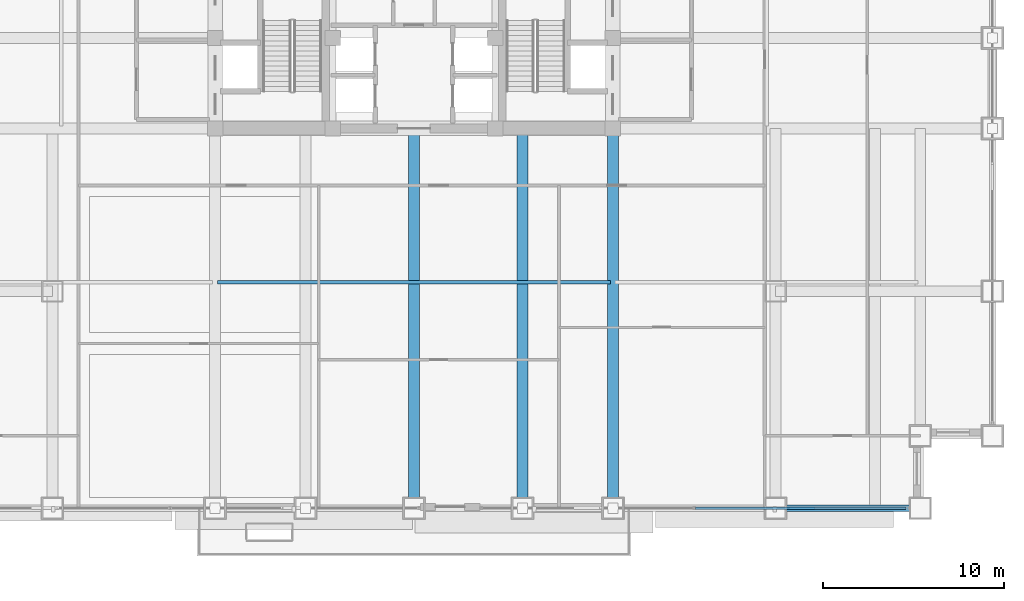
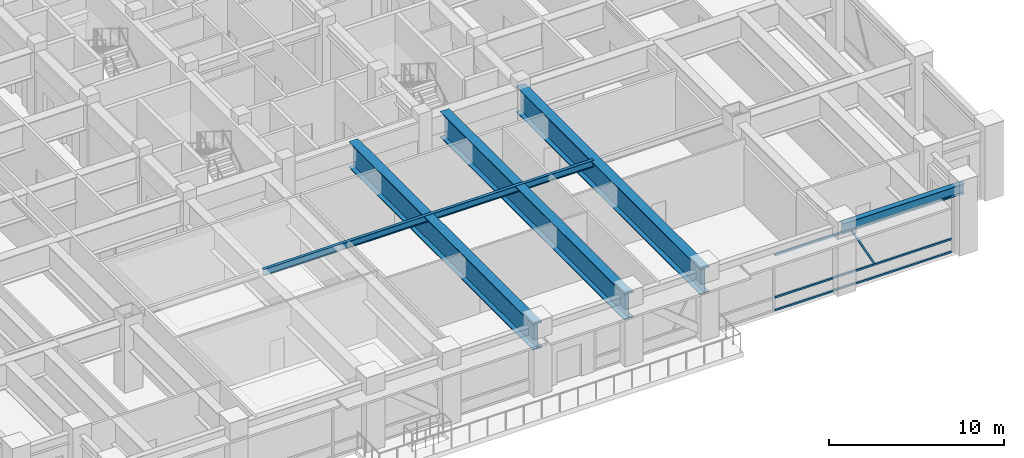
# One storey, part 7 of 34: 5 beams, 4 members, 1 element without a shape of its own.
"""IFC4 building model written with IfcOpenShell, lengths in metres."""

from ifc_helpers import new_model, si_unit, direction, frame, origin, origin_2d, place, context, subcontext, project, spatial, hollow_rectangle, i_section, extrude, source, transform, mapped, material, material_profile, profile_set, type_object, element, aggregate, save


model = new_model("IFC4")

# Units and contexts
model_context = context("Model", 3, precision=1e-05, world=origin(), true_north=direction((0.0, 1.0)))
body_context = subcontext(model_context, "Body", "Model", "MODEL_VIEW")
ifc_project = project(units=[si_unit("LENGTHUNIT", "METRE"), si_unit("AREAUNIT", "SQUARE_METRE"), si_unit("VOLUMEUNIT", "CUBIC_METRE"), si_unit("PLANEANGLEUNIT", "RADIAN"), si_unit("MASSUNIT", "GRAM", prefix="KILO")], contexts=[model_context])

# Site, building, storey
site_placement = place(None, origin())
site = spatial("IfcSite", under=ifc_project, at=site_placement, CompositionType="ELEMENT")
building_placement = place(site_placement, origin())
building = spatial("IfcBuilding", under=site, at=building_placement, Name="Khorayat Bourse Tower", CompositionType="ELEMENT")
storey_placement = place(building_placement, frame((0.0, 0.0, 144.699951171875)))
storey = spatial("IfcBuildingStorey", under=building, at=storey_placement, Name="L33", CompositionType="ELEMENT", Elevation=144.699951171875)

# Beams
ifc_material_1 = material(Name="Steel ASTM A992 Grade 50", Category="steel")
ifc_material_profile_1 = material_profile(ifc_material_1, i_section(OverallWidth=0.194091796875, OverallDepth=0.468994140625, WebThickness=0.0126953125, FlangeThickness=0.0205078125, FilletRadius=0.012939453125, at=origin_2d()), Name="W460X106")
ifc_profile_set_1 = profile_set([ifc_material_profile_1], Name="Steel ASTM A992 Grade 50")
beam_type_1 = type_object("IfcBeamType", Name="BM-JOIST-460", PredefinedType="JOIST", material=ifc_profile_set_1)
shared_shape_1 = source(origin(), body_context, "Body", "SweptSolid", [
    extrude(i_section(OverallWidth=0.194091796875, OverallDepth=0.468994140625, WebThickness=0.0126953125, FlangeThickness=0.0205078125, FilletRadius=0.012939453125, at=origin_2d()), origin(), (0.0, 0.0, 1.0), 21.740234375),
])
beam_1_placement = place(storey_placement, frame((-10.8701171875, -19.5, 4.365478515625), z_axis=(1.0, 0.0, 0.0), x_axis=(0.0, 1.0, 0.0)))
element("IfcBeam", 1, at=beam_1_placement, inside=storey, type_object=beam_type_1, Name="L33 BM-JOIST-460 BM-L33-JSTX-105", PredefinedType="JOIST", context=body_context, shape_type="MappedRepresentation", body=[
    mapped(shared_shape_1, transform((0.0, 0.0, 0.0), scale=1.0)),
])
ifc_material_profile_2 = material_profile(ifc_material_1, i_section(OverallWidth=0.35498046875, OverallDepth=0.695068359375, WebThickness=0.015380859375, FlangeThickness=0.02490234375, FilletRadius=0.01806640625, at=origin_2d()), Name="W690X217")
ifc_profile_set_2 = profile_set([ifc_material_profile_2], Name="Steel ASTM A992 Grade 50")
beam_type_2 = type_object("IfcBeamType", Name="BM-SPAN-690", PredefinedType="SPANDREL", material=ifc_profile_set_2)
shared_shape_2 = source(origin(), body_context, "Body", "SweptSolid", [
    extrude(i_section(OverallWidth=0.35498046875, OverallDepth=0.695068359375, WebThickness=0.015380859375, FlangeThickness=0.02490234375, FilletRadius=0.01806640625, at=origin_2d()), origin(), (0.0, 0.0, 1.0), 8.0),
])
beam_2_placement = place(storey_placement, frame((20.0, -32.0, 4.25244140625), z_axis=(1.0, 0.0, 0.0), x_axis=(0.0, 1.0, 0.0)))
element("IfcBeam", 2, at=beam_2_placement, inside=storey, type_object=beam_type_2, Name="L33 BM-SPAN-690 BM-L33-SPN-031", PredefinedType="SPANDREL", context=body_context, shape_type="MappedRepresentation", body=[
    mapped(shared_shape_2, transform((0.0, 0.0, 0.0), scale=1.0)),
])
ifc_material_2 = material(Name="Steel EN 10025-4 S460M", Category="steel")
ifc_material_profile_3 = material_profile(ifc_material_2, i_section(OverallWidth=0.60009765625, OverallDepth=1.800048828125, WebThickness=0.031982421875, FlangeThickness=0.06005859375, at=origin_2d()), Name="PG 1800x600x32x60")
ifc_profile_set_3 = profile_set([ifc_material_profile_3], Name="Steel EN 10025-4 S460M")
beam_type_3 = type_object("IfcBeamType", Name="BM-TR-1800", PredefinedType="BEAM", material=ifc_profile_set_3)
shared_shape_3 = source(origin(), body_context, "Body", "SweptSolid", [
    extrude(i_section(OverallWidth=0.60009765625, OverallDepth=1.800048828125, WebThickness=0.031982421875, FlangeThickness=0.06005859375, at=origin_2d()), origin(), (0.0, 0.0, 1.0), 21.0),
])
for number, where, z_axis, x_axis, name in (
    (3, (0.0, -32.0, 3.699951171875), (0.0, 1.0, 0.0), (-1.0, 0.0, 0.0), "L33 BM-TR-1800 BM-L33-RADY-069"),
    (4, (6.0, -32.0, 3.699951171875), (0.0, 1.0, 0.0), (-1.0, 0.0, 0.0), "L33 BM-TR-1800 BM-L33-RADY-071"),
    (5, (11.0, -32.0, 3.699951171875), (0.0, 1.0, 0.0), (-1.0, 0.0, 0.0), "L33 BM-TR-1800 BM-L33-RADY-073"),
):
    element("IfcBeam", number, at=place(storey_placement, frame(where, z_axis=z_axis, x_axis=x_axis)), inside=storey, type_object=beam_type_3, Name=name, PredefinedType="BEAM", context=body_context, shape_type="MappedRepresentation", body=[
        mapped(shared_shape_3, transform((0.0, 0.0, 0.0), scale=1.0)),
    ])

# Curtain wall, members
ifc_material_3 = material(Name="Aluminium EN AW-6063 T6", Category="aluminium")
curtain_wall_type = type_object("IfcCurtainWallType", Name="CW-SYS-05", PredefinedType="NOTDEFINED", material=ifc_material_3)
curtain_wall_placement = place(storey_placement, origin())
curtain_wall = element("IfcCurtainWall", 6, at=curtain_wall_placement, inside=storey, type_object=curtain_wall_type, Name="L33 Curtain Wall CW-L33-S2", PredefinedType="NOTDEFINED")
ifc_material_profile_4 = material_profile(ifc_material_3, hollow_rectangle(XDim=0.1201171875, YDim=0.1201171875, WallThickness=0.0048828125, at=origin_2d()), Name="ALU 120x120x5")
ifc_profile_set_4 = profile_set([ifc_material_profile_4], Name="Aluminium EN AW-6063 T6")
member_type_1 = type_object("IfcMemberType", Name="CWM-DIAG-120", PredefinedType="MULLION", material=ifc_profile_set_4)
shared_shape_4 = source(origin(), body_context, "Body", "SweptSolid", [
    extrude(hollow_rectangle(XDim=0.1201171875, YDim=0.1201171875, WallThickness=0.0048828125, at=origin_2d()), origin(), (0.0, 0.0, 1.0), 3.005859375),
])
member_1_placement = place(storey_placement, frame((22.090087890625, -32.0, 1.090087890625), z_axis=(-0.465796644007, 0.0, 0.884891793629), x_axis=(0.0, -1.0, 0.0)))
member_1 = element("IfcMember", 7, at=member_1_placement, type_object=member_type_1, Name="CW-L33-S2 Faceted Diagonal Mullion 2", PredefinedType="MULLION", context=body_context, shape_type="MappedRepresentation", body=[
    mapped(shared_shape_4, transform((0.0, 0.0, 0.0), scale=1.0)),
])
ifc_material_profile_5 = material_profile(ifc_material_3, hollow_rectangle(XDim=0.1201171875, YDim=0.1201171875, WallThickness=0.0048828125, at=origin_2d()), Name="ALU 120x120x5")
ifc_profile_set_5 = profile_set([ifc_material_profile_5], Name="Aluminium EN AW-6063 T6")
member_type_2 = type_object("IfcMemberType", Name="CWT-HORZ-120", PredefinedType="USERDEFINED", material=ifc_profile_set_5)
shared_shape_5 = source(origin(), body_context, "Body", "SweptSolid", [
    extrude(hollow_rectangle(XDim=0.1201171875, YDim=0.1201171875, WallThickness=0.0048828125, at=origin_2d()), origin(), (0.0, 0.0, 1.0), 11.639892578125),
])
member_2_placement = place(storey_placement, frame((15.570068359375, -32.0, 0.06005859375), z_axis=(1.0, 0.0, 0.0), x_axis=(0.0, 1.0, 0.0)))
member_2 = element("IfcMember", 8, at=member_2_placement, type_object=member_type_2, Name="CW-L33-S2 Horizontal Transom 2-1", ObjectType="TRANSOM", PredefinedType="USERDEFINED", context=body_context, shape_type="MappedRepresentation", body=[
    mapped(shared_shape_5, transform((0.0, 0.0, 0.0), scale=1.0)),
])
member_3_placement = place(storey_placement, frame((15.570068359375, -32.0, 0.949951171875), z_axis=(1.0, 0.0, 0.0), x_axis=(0.0, 1.0, 0.0)))
member_3 = element("IfcMember", 9, at=member_3_placement, type_object=member_type_2, Name="CW-L33-S2 Horizontal Transom 2-2", ObjectType="TRANSOM", PredefinedType="USERDEFINED", context=body_context, shape_type="MappedRepresentation", body=[
    mapped(shared_shape_5, transform((0.0, 0.0, 0.0), scale=1.0)),
])
member_4_placement = place(storey_placement, frame((15.570068359375, -32.0, 3.89013671875), z_axis=(1.0, 0.0, 0.0), x_axis=(0.0, 1.0, 0.0)))
member_4 = element("IfcMember", 10, at=member_4_placement, type_object=member_type_2, Name="CW-L33-S2 Horizontal Transom 2-3", ObjectType="TRANSOM", PredefinedType="USERDEFINED", context=body_context, shape_type="MappedRepresentation", body=[
    mapped(shared_shape_5, transform((0.0, 0.0, 0.0), scale=1.0)),
])
aggregate(curtain_wall, [member_2, member_3, member_4, member_1])

save(model, "model.ifc")
